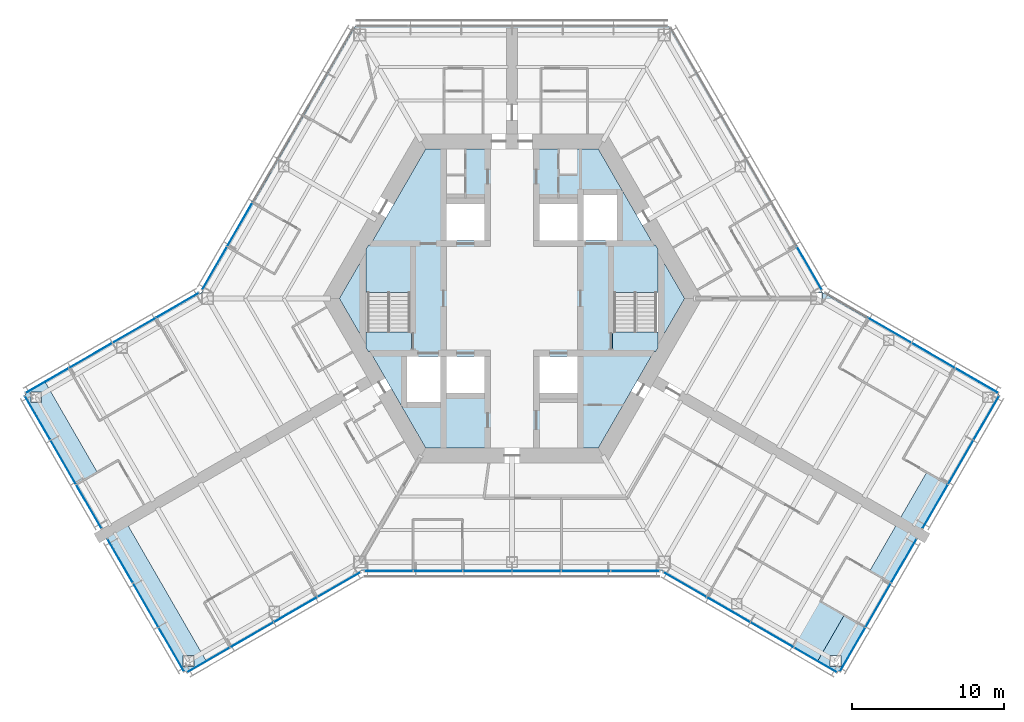
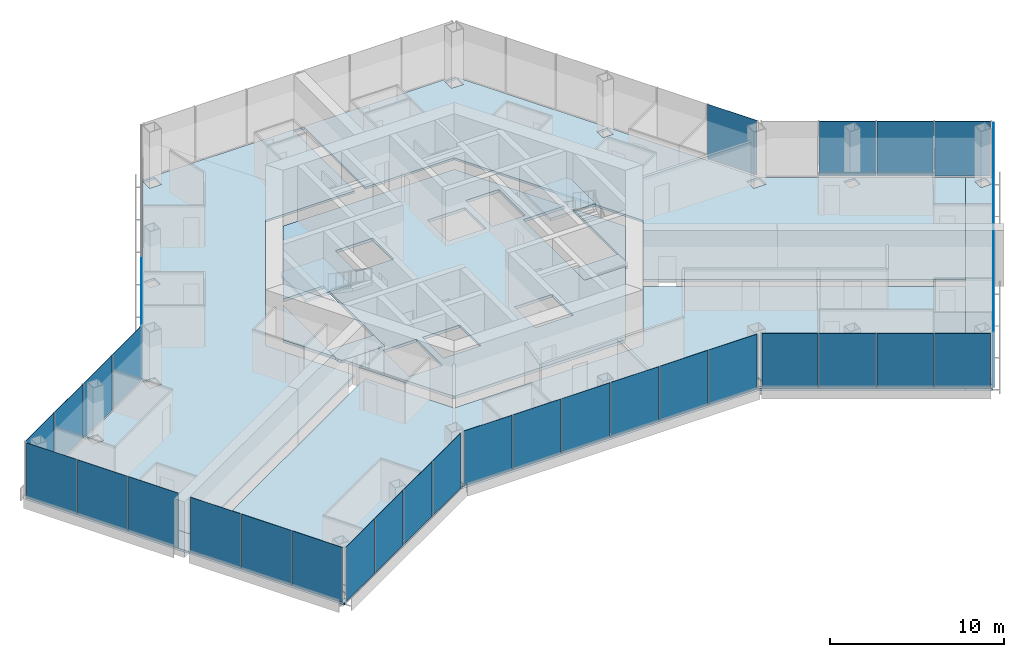
# One storey, part 10 of 18: 36 plates, 11 slabs, 13 elements without a shape of their own.
"""IFC4 building model written with IfcOpenShell, lengths in metres."""

from ifc_helpers import new_model, si_unit, direction, frame, origin, origin_2d, place, context, subcontext, project, spatial, polyline, rectangle, outline, extrude, material, layer, layer_set, type_object, element, aggregate, save


model = new_model("IFC4")

# Units and contexts
model_context = context("Model", 3, precision=1e-05, world=origin(), true_north=direction((0.0, 1.0)))
body_context = subcontext(model_context, "Body", "Model", "MODEL_VIEW")
ifc_project = project(units=[si_unit("LENGTHUNIT", "METRE"), si_unit("AREAUNIT", "SQUARE_METRE"), si_unit("VOLUMEUNIT", "CUBIC_METRE"), si_unit("PLANEANGLEUNIT", "RADIAN"), si_unit("MASSUNIT", "GRAM", prefix="KILO")], contexts=[model_context])

# Site, building, storey
site_placement = place(None, origin())
site = spatial("IfcSite", under=ifc_project, at=site_placement, CompositionType="ELEMENT")
building_placement = place(site_placement, origin())
building = spatial("IfcBuilding", under=site, at=building_placement, Name="Kasaneha Research Tower", CompositionType="ELEMENT")
storey_placement = place(building_placement, frame((0.0, 0.0, 168.199951171875)))
storey = spatial("IfcBuildingStorey", under=building, at=storey_placement, Name="L42", CompositionType="ELEMENT", Elevation=168.199951171875)

# Curtain wall, plates
ifc_material_1 = material(Name="Glass and aluminium", Category="aluminium")
curtain_wall_type = type_object("IfcCurtainWallType", Name="Mid-rise office curtain wall", PredefinedType="USERDEFINED", material=ifc_material_1)
curtain_wall_1_placement = place(storey_placement, origin())
curtain_wall_1 = element("IfcCurtainWall", 1, at=curtain_wall_1_placement, inside=storey, type_object=curtain_wall_type, Name="CW-O2 L42 run 01a", ObjectType="UNITISED CURTAIN WALL", PredefinedType="USERDEFINED")
ifc_material_2 = material(Name="Laminated double glazing", Category="glass")
ifc_layer_1 = layer(ifc_material_2, 0.02587890625)
ifc_layer_set_1 = layer_set([ifc_layer_1], Name="CW-O2 glazed panel")
plate_type = type_object("IfcPlateType", Name="CW-O2 glazed panel", PredefinedType="CURTAIN_PANEL", material=ifc_layer_set_1)
plate_1_placement = place(storey_placement, frame((-8.10107421875, -17.92041015625, 0.06005859375), z_axis=(0.0, 0.0, 1.0), x_axis=(1.0, 0.0, 0.0)))
plate_1 = element("IfcPlate", 2, at=plate_1_placement, type_object=plate_type, Name="CW-O2 panel 1", PredefinedType="CURTAIN_PANEL", context=body_context, shape_type="SweptSolid", body=[
    extrude(rectangle(XDim=3.156494140625, YDim=0.02587890625, at=origin_2d()), origin(), (0.0, 0.0, 1.0), 3.840087890625),
])
plate_2_placement = place(storey_placement, frame((-4.86962890625, -17.92041015625, 0.06005859375), z_axis=(0.0, 0.0, 1.0), x_axis=(1.0, 0.0, 0.0)))
plate_2 = element("IfcPlate", 3, at=plate_2_placement, type_object=plate_type, Name="CW-O2 panel 2", PredefinedType="CURTAIN_PANEL", context=body_context, shape_type="SweptSolid", body=[
    extrude(rectangle(XDim=3.1865234375, YDim=0.02587890625, at=origin_2d()), origin(), (0.0, 0.0, 1.0), 3.840087890625),
])
plate_3_placement = place(storey_placement, frame((-1.623291015625, -17.92041015625, 0.06005859375), z_axis=(0.0, 0.0, 1.0), x_axis=(1.0, 0.0, 0.0)))
plate_3 = element("IfcPlate", 4, at=plate_3_placement, type_object=plate_type, Name="CW-O2 panel 3", PredefinedType="CURTAIN_PANEL", context=body_context, shape_type="SweptSolid", body=[
    extrude(rectangle(XDim=3.1865234375, YDim=0.02587890625, at=origin_2d()), origin(), (0.0, 0.0, 1.0), 3.840087890625),
])
plate_4_placement = place(storey_placement, frame((1.623291015625, -17.92041015625, 0.06005859375), z_axis=(0.0, 0.0, 1.0), x_axis=(1.0, 0.0, 0.0)))
plate_4 = element("IfcPlate", 5, at=plate_4_placement, type_object=plate_type, Name="CW-O2 panel 4", PredefinedType="CURTAIN_PANEL", context=body_context, shape_type="SweptSolid", body=[
    extrude(rectangle(XDim=3.1865234375, YDim=0.02587890625, at=origin_2d()), origin(), (0.0, 0.0, 1.0), 3.840087890625),
])
plate_5_placement = place(storey_placement, frame((4.86962890625, -17.92041015625, 0.06005859375), z_axis=(0.0, 0.0, 1.0), x_axis=(1.0, 0.0, 0.0)))
plate_5 = element("IfcPlate", 6, at=plate_5_placement, type_object=plate_type, Name="CW-O2 panel 5", PredefinedType="CURTAIN_PANEL", context=body_context, shape_type="SweptSolid", body=[
    extrude(rectangle(XDim=3.1865234375, YDim=0.02587890625, at=origin_2d()), origin(), (0.0, 0.0, 1.0), 3.840087890625),
])
plate_6_placement = place(storey_placement, frame((8.10107421875, -17.92041015625, 0.06005859375), z_axis=(0.0, 0.0, 1.0), x_axis=(1.0, 0.0, 0.0)))
plate_6 = element("IfcPlate", 7, at=plate_6_placement, type_object=plate_type, Name="CW-O2 panel 6", PredefinedType="CURTAIN_PANEL", context=body_context, shape_type="SweptSolid", body=[
    extrude(rectangle(XDim=3.156494140625, YDim=0.02587890625, at=origin_2d()), origin(), (0.0, 0.0, 1.0), 3.840087890625),
])
aggregate(curtain_wall_1, [plate_1, plate_2, plate_3, plate_4, plate_5, plate_6])

curtain_wall_2_placement = place(storey_placement, origin())
curtain_wall_2 = element("IfcCurtainWall", 8, at=curtain_wall_2_placement, inside=storey, type_object=curtain_wall_type, Name="CW-O2 L42 run 02a", ObjectType="UNITISED CURTAIN WALL", PredefinedType="USERDEFINED")
plate_7_placement = place(storey_placement, frame((11.3720703125, -18.805419921875, 0.06005859375), z_axis=(0.0, 0.0, 1.0), x_axis=(0.866025411464, -0.499999986699, 0.0)))
plate_7 = element("IfcPlate", 9, at=plate_7_placement, type_object=plate_type, Name="CW-O2 panel 1", PredefinedType="CURTAIN_PANEL", context=body_context, shape_type="SweptSolid", body=[
    extrude(rectangle(XDim=3.2197265625, YDim=0.02587890625, at=origin_2d()), origin(), (0.0, 0.0, 1.0), 3.840087890625),
])
plate_8_placement = place(storey_placement, frame((14.225341796875, -20.452880859375, 0.06005859375), z_axis=(0.0, 0.0, 1.0), x_axis=(0.866025411464, -0.499999986699, 0.0)))
plate_8 = element("IfcPlate", 10, at=plate_8_placement, type_object=plate_type, Name="CW-O2 panel 2", PredefinedType="CURTAIN_PANEL", context=body_context, shape_type="SweptSolid", body=[
    extrude(rectangle(XDim=3.249755859375, YDim=0.02587890625, at=origin_2d()), origin(), (0.0, 0.0, 1.0), 3.840087890625),
])
plate_9_placement = place(storey_placement, frame((17.091796875, -22.107666015625, 0.06005859375), z_axis=(0.0, 0.0, 1.0), x_axis=(0.866025411464, -0.499999986699, 0.0)))
plate_9 = element("IfcPlate", 11, at=plate_9_placement, type_object=plate_type, Name="CW-O2 panel 3", PredefinedType="CURTAIN_PANEL", context=body_context, shape_type="SweptSolid", body=[
    extrude(rectangle(XDim=3.249755859375, YDim=0.02587890625, at=origin_2d()), origin(), (0.0, 0.0, 1.0), 3.840087890625),
])
plate_10_placement = place(storey_placement, frame((19.945068359375, -23.755126953125, 0.06005859375), z_axis=(0.0, 0.0, 1.0), x_axis=(0.866025411464, -0.499999986699, 0.0)))
plate_10 = element("IfcPlate", 12, at=plate_10_placement, type_object=plate_type, Name="CW-O2 panel 4", PredefinedType="CURTAIN_PANEL", context=body_context, shape_type="SweptSolid", body=[
    extrude(rectangle(XDim=3.2197265625, YDim=0.02587890625, at=origin_2d()), origin(), (0.0, 0.0, 1.0), 3.840087890625),
])
aggregate(curtain_wall_2, [plate_7, plate_8, plate_9, plate_10])

curtain_wall_3_placement = place(storey_placement, origin())
curtain_wall_3 = element("IfcCurtainWall", 13, at=curtain_wall_3_placement, inside=storey, type_object=curtain_wall_type, Name="CW-O2 L42 run 03a", ObjectType="UNITISED CURTAIN WALL", PredefinedType="USERDEFINED")
plate_11_placement = place(storey_placement, frame((22.38134765625, -23.075439453125, 0.06005859375), z_axis=(0.0, 0.0, 1.0), x_axis=(0.500000011442, 0.866025397178, 0.0)))
plate_11 = element("IfcPlate", 14, at=plate_11_placement, type_object=plate_type, Name="CW-O2 panel 1", PredefinedType="CURTAIN_PANEL", context=body_context, shape_type="SweptSolid", body=[
    extrude(rectangle(XDim=3.293212890625, YDim=0.02587890625, at=origin_2d()), origin(), (0.0, 0.0, 1.0), 3.840087890625),
])
plate_12_placement = place(storey_placement, frame((24.0654296875, -20.158447265625, 0.06005859375), z_axis=(0.0, 0.0, 1.0), x_axis=(0.500000011442, 0.866025397178, 0.0)))
plate_12 = element("IfcPlate", 15, at=plate_12_placement, type_object=plate_type, Name="CW-O2 panel 2", PredefinedType="CURTAIN_PANEL", context=body_context, shape_type="SweptSolid", body=[
    extrude(rectangle(XDim=3.3232421875, YDim=0.02587890625, at=origin_2d()), origin(), (0.0, 0.0, 1.0), 3.840087890625),
])
plate_13_placement = place(storey_placement, frame((25.74951171875, -17.241455078125, 0.06005859375), z_axis=(0.0, 0.0, 1.0), x_axis=(0.500000011442, 0.866025397178, 0.0)))
plate_13 = element("IfcPlate", 16, at=plate_13_placement, type_object=plate_type, Name="CW-O2 panel 3", PredefinedType="CURTAIN_PANEL", context=body_context, shape_type="SweptSolid", body=[
    extrude(rectangle(XDim=3.293212890625, YDim=0.02587890625, at=origin_2d()), origin(), (0.0, 0.0, 1.0), 3.840087890625),
])
aggregate(curtain_wall_3, [plate_11, plate_12, plate_13])

curtain_wall_4_placement = place(storey_placement, origin())
curtain_wall_4 = element("IfcCurtainWall", 17, at=curtain_wall_4_placement, inside=storey, type_object=curtain_wall_type, Name="CW-O2 L42 run 04a", ObjectType="UNITISED CURTAIN WALL", PredefinedType="USERDEFINED")
plate_14_placement = place(storey_placement, frame((27.806396484375, -13.67919921875, 0.06005859375), z_axis=(0.0, 0.0, 1.0), x_axis=(0.500000011442, 0.866025397178, 0.0)))
plate_14 = element("IfcPlate", 18, at=plate_14_placement, type_object=plate_type, Name="CW-O2 panel 1", PredefinedType="CURTAIN_PANEL", context=body_context, shape_type="SweptSolid", body=[
    extrude(rectangle(XDim=3.293212890625, YDim=0.02587890625, at=origin_2d()), origin(), (0.0, 0.0, 1.0), 3.840087890625),
])
plate_15_placement = place(storey_placement, frame((29.490478515625, -10.761962890625, 0.06005859375), z_axis=(0.0, 0.0, 1.0), x_axis=(0.500000011442, 0.866025397178, 0.0)))
plate_15 = element("IfcPlate", 19, at=plate_15_placement, type_object=plate_type, Name="CW-O2 panel 2", PredefinedType="CURTAIN_PANEL", context=body_context, shape_type="SweptSolid", body=[
    extrude(rectangle(XDim=3.3232421875, YDim=0.02587890625, at=origin_2d()), origin(), (0.0, 0.0, 1.0), 3.840087890625),
])
plate_16_placement = place(storey_placement, frame((31.174560546875, -7.844970703125, 0.06005859375), z_axis=(0.0, 0.0, 1.0), x_axis=(0.500000011442, 0.866025397178, 0.0)))
plate_16 = element("IfcPlate", 20, at=plate_16_placement, type_object=plate_type, Name="CW-O2 panel 3", PredefinedType="CURTAIN_PANEL", context=body_context, shape_type="SweptSolid", body=[
    extrude(rectangle(XDim=3.293212890625, YDim=0.02587890625, at=origin_2d()), origin(), (0.0, 0.0, 1.0), 3.840087890625),
])
aggregate(curtain_wall_4, [plate_14, plate_15, plate_16])

curtain_wall_5_placement = place(storey_placement, origin())
curtain_wall_5 = element("IfcCurtainWall", 21, at=curtain_wall_5_placement, inside=storey, type_object=curtain_wall_type, Name="CW-O2 L42 run 05a", ObjectType="UNITISED CURTAIN WALL", PredefinedType="USERDEFINED")
plate_17_placement = place(storey_placement, frame((30.545166015625, -5.3955078125, 0.06005859375), z_axis=(0.0, 0.0, 1.0), x_axis=(-0.866025411464, 0.499999986699, 0.0)))
plate_17 = element("IfcPlate", 22, at=plate_17_placement, type_object=plate_type, Name="CW-O2 panel 1", PredefinedType="CURTAIN_PANEL", context=body_context, shape_type="SweptSolid", body=[
    extrude(rectangle(XDim=3.2197265625, YDim=0.02587890625, at=origin_2d()), origin(), (0.0, 0.0, 1.0), 3.840087890625),
])
plate_18_placement = place(storey_placement, frame((27.69189453125, -3.748046875, 0.06005859375), z_axis=(0.0, 0.0, 1.0), x_axis=(-0.866025411464, 0.499999986699, 0.0)))
plate_18 = element("IfcPlate", 23, at=plate_18_placement, type_object=plate_type, Name="CW-O2 panel 2", PredefinedType="CURTAIN_PANEL", context=body_context, shape_type="SweptSolid", body=[
    extrude(rectangle(XDim=3.249755859375, YDim=0.02587890625, at=origin_2d()), origin(), (0.0, 0.0, 1.0), 3.840087890625),
])
plate_19_placement = place(storey_placement, frame((24.825439453125, -2.093017578125, 0.06005859375), z_axis=(0.0, 0.0, 1.0), x_axis=(-0.866025411464, 0.499999986699, 0.0)))
plate_19 = element("IfcPlate", 24, at=plate_19_placement, type_object=plate_type, Name="CW-O2 panel 3", PredefinedType="CURTAIN_PANEL", context=body_context, shape_type="SweptSolid", body=[
    extrude(rectangle(XDim=3.249755859375, YDim=0.02587890625, at=origin_2d()), origin(), (0.0, 0.0, 1.0), 3.840087890625),
])
aggregate(curtain_wall_5, [plate_17, plate_18, plate_19])

# Curtain wall, plate
curtain_wall_6_placement = place(storey_placement, origin())
curtain_wall_6 = element("IfcCurtainWall", 25, at=curtain_wall_6_placement, inside=storey, type_object=curtain_wall_type, Name="CW-O2 L42 run 06a", ObjectType="UNITISED CURTAIN WALL", PredefinedType="USERDEFINED")
plate_20_placement = place(storey_placement, frame((19.549072265625, 1.981201171875, 0.06005859375), z_axis=(0.0, 0.0, 1.0), x_axis=(-0.499999979232, 0.866025415775, 0.0)))
plate_20 = element("IfcPlate", 26, at=plate_20_placement, type_object=plate_type, Name="CW-O2 panel 1", PredefinedType="CURTAIN_PANEL", context=body_context, shape_type="SweptSolid", body=[
    extrude(rectangle(XDim=3.240966796875, YDim=0.02587890625, at=origin_2d()), origin(), (0.0, 0.0, 1.0), 3.840087890625),
])
aggregate(curtain_wall_6, [plate_20])

# Curtain wall, plates
curtain_wall_7_placement = place(storey_placement, origin())
curtain_wall_7 = element("IfcCurtainWall", 27, at=curtain_wall_7_placement, inside=storey, type_object=curtain_wall_type, Name="CW-O2 L42 run 08a", ObjectType="UNITISED CURTAIN WALL", PredefinedType="USERDEFINED")
plate_21_placement = place(storey_placement, frame((-17.89111328125, 4.852783203125, 0.06005859375), z_axis=(0.0, 0.0, 1.0), x_axis=(-0.499999979232, -0.866025415775, 0.0)))
plate_21 = element("IfcPlate", 28, at=plate_21_placement, type_object=plate_type, Name="CW-O2 panel 5", PredefinedType="CURTAIN_PANEL", context=body_context, shape_type="SweptSolid", body=[
    extrude(rectangle(XDim=3.27099609375, YDim=0.02587890625, at=origin_2d()), origin(), (0.0, 0.0, 1.0), 3.840087890625),
])
plate_22_placement = place(storey_placement, frame((-19.549072265625, 1.981201171875, 0.06005859375), z_axis=(0.0, 0.0, 1.0), x_axis=(-0.499999979232, -0.866025415775, 0.0)))
plate_22 = element("IfcPlate", 29, at=plate_22_placement, type_object=plate_type, Name="CW-O2 panel 6", PredefinedType="CURTAIN_PANEL", context=body_context, shape_type="SweptSolid", body=[
    extrude(rectangle(XDim=3.240966796875, YDim=0.02587890625, at=origin_2d()), origin(), (0.0, 0.0, 1.0), 3.840087890625),
])
aggregate(curtain_wall_7, [plate_21, plate_22])

curtain_wall_8_placement = place(storey_placement, origin())
curtain_wall_8 = element("IfcCurtainWall", 30, at=curtain_wall_8_placement, inside=storey, type_object=curtain_wall_type, Name="CW-O2 L42 run 09a", ObjectType="UNITISED CURTAIN WALL", PredefinedType="USERDEFINED")
plate_23_placement = place(storey_placement, frame((-21.971923828125, -0.44580078125, 0.06005859375), z_axis=(0.0, 0.0, 1.0), x_axis=(-0.866025411464, -0.499999986699, 0.0)))
plate_23 = element("IfcPlate", 31, at=plate_23_placement, type_object=plate_type, Name="CW-O2 panel 1", PredefinedType="CURTAIN_PANEL", context=body_context, shape_type="SweptSolid", body=[
    extrude(rectangle(XDim=3.2197265625, YDim=0.02587890625, at=origin_2d()), origin(), (0.0, 0.0, 1.0), 3.840087890625),
])
plate_24_placement = place(storey_placement, frame((-24.825439453125, -2.093017578125, 0.06005859375), z_axis=(0.0, 0.0, 1.0), x_axis=(-0.866025411464, -0.499999986699, 0.0)))
plate_24 = element("IfcPlate", 32, at=plate_24_placement, type_object=plate_type, Name="CW-O2 panel 2", PredefinedType="CURTAIN_PANEL", context=body_context, shape_type="SweptSolid", body=[
    extrude(rectangle(XDim=3.249755859375, YDim=0.02587890625, at=origin_2d()), origin(), (0.0, 0.0, 1.0), 3.840087890625),
])
plate_25_placement = place(storey_placement, frame((-27.69189453125, -3.748046875, 0.06005859375), z_axis=(0.0, 0.0, 1.0), x_axis=(-0.866025411464, -0.499999986699, 0.0)))
plate_25 = element("IfcPlate", 33, at=plate_25_placement, type_object=plate_type, Name="CW-O2 panel 3", PredefinedType="CURTAIN_PANEL", context=body_context, shape_type="SweptSolid", body=[
    extrude(rectangle(XDim=3.249755859375, YDim=0.02587890625, at=origin_2d()), origin(), (0.0, 0.0, 1.0), 3.840087890625),
])
plate_26_placement = place(storey_placement, frame((-30.545166015625, -5.3955078125, 0.06005859375), z_axis=(0.0, 0.0, 1.0), x_axis=(-0.866025411464, -0.499999986699, 0.0)))
plate_26 = element("IfcPlate", 34, at=plate_26_placement, type_object=plate_type, Name="CW-O2 panel 4", PredefinedType="CURTAIN_PANEL", context=body_context, shape_type="SweptSolid", body=[
    extrude(rectangle(XDim=3.2197265625, YDim=0.02587890625, at=origin_2d()), origin(), (0.0, 0.0, 1.0), 3.840087890625),
])
aggregate(curtain_wall_8, [plate_23, plate_24, plate_25, plate_26])

curtain_wall_9_placement = place(storey_placement, origin())
curtain_wall_9 = element("IfcCurtainWall", 35, at=curtain_wall_9_placement, inside=storey, type_object=curtain_wall_type, Name="CW-O2 L42 run 10a", ObjectType="UNITISED CURTAIN WALL", PredefinedType="USERDEFINED")
plate_27_placement = place(storey_placement, frame((-31.174560546875, -7.844970703125, 0.06005859375), z_axis=(0.0, 0.0, 1.0), x_axis=(0.500000011442, -0.866025397178, 0.0)))
plate_27 = element("IfcPlate", 36, at=plate_27_placement, type_object=plate_type, Name="CW-O2 panel 1", PredefinedType="CURTAIN_PANEL", context=body_context, shape_type="SweptSolid", body=[
    extrude(rectangle(XDim=3.293212890625, YDim=0.02587890625, at=origin_2d()), origin(), (0.0, 0.0, 1.0), 3.840087890625),
])
plate_28_placement = place(storey_placement, frame((-29.490478515625, -10.761962890625, 0.06005859375), z_axis=(0.0, 0.0, 1.0), x_axis=(0.500000011442, -0.866025397178, 0.0)))
plate_28 = element("IfcPlate", 37, at=plate_28_placement, type_object=plate_type, Name="CW-O2 panel 2", PredefinedType="CURTAIN_PANEL", context=body_context, shape_type="SweptSolid", body=[
    extrude(rectangle(XDim=3.3232421875, YDim=0.02587890625, at=origin_2d()), origin(), (0.0, 0.0, 1.0), 3.840087890625),
])
plate_29_placement = place(storey_placement, frame((-27.806396484375, -13.67919921875, 0.06005859375), z_axis=(0.0, 0.0, 1.0), x_axis=(0.500000011442, -0.866025397178, 0.0)))
plate_29 = element("IfcPlate", 38, at=plate_29_placement, type_object=plate_type, Name="CW-O2 panel 3", PredefinedType="CURTAIN_PANEL", context=body_context, shape_type="SweptSolid", body=[
    extrude(rectangle(XDim=3.293212890625, YDim=0.02587890625, at=origin_2d()), origin(), (0.0, 0.0, 1.0), 3.840087890625),
])
aggregate(curtain_wall_9, [plate_27, plate_28, plate_29])

curtain_wall_10_placement = place(storey_placement, origin())
curtain_wall_10 = element("IfcCurtainWall", 39, at=curtain_wall_10_placement, inside=storey, type_object=curtain_wall_type, Name="CW-O2 L42 run 11a", ObjectType="UNITISED CURTAIN WALL", PredefinedType="USERDEFINED")
plate_30_placement = place(storey_placement, frame((-25.74951171875, -17.241455078125, 0.06005859375), z_axis=(0.0, 0.0, 1.0), x_axis=(0.500000011442, -0.866025397178, 0.0)))
plate_30 = element("IfcPlate", 40, at=plate_30_placement, type_object=plate_type, Name="CW-O2 panel 1", PredefinedType="CURTAIN_PANEL", context=body_context, shape_type="SweptSolid", body=[
    extrude(rectangle(XDim=3.293212890625, YDim=0.02587890625, at=origin_2d()), origin(), (0.0, 0.0, 1.0), 3.840087890625),
])
plate_31_placement = place(storey_placement, frame((-24.0654296875, -20.158447265625, 0.06005859375), z_axis=(0.0, 0.0, 1.0), x_axis=(0.500000011442, -0.866025397178, 0.0)))
plate_31 = element("IfcPlate", 41, at=plate_31_placement, type_object=plate_type, Name="CW-O2 panel 2", PredefinedType="CURTAIN_PANEL", context=body_context, shape_type="SweptSolid", body=[
    extrude(rectangle(XDim=3.3232421875, YDim=0.02587890625, at=origin_2d()), origin(), (0.0, 0.0, 1.0), 3.840087890625),
])
plate_32_placement = place(storey_placement, frame((-22.38134765625, -23.075439453125, 0.06005859375), z_axis=(0.0, 0.0, 1.0), x_axis=(0.500000011442, -0.866025397178, 0.0)))
plate_32 = element("IfcPlate", 42, at=plate_32_placement, type_object=plate_type, Name="CW-O2 panel 3", PredefinedType="CURTAIN_PANEL", context=body_context, shape_type="SweptSolid", body=[
    extrude(rectangle(XDim=3.293212890625, YDim=0.02587890625, at=origin_2d()), origin(), (0.0, 0.0, 1.0), 3.840087890625),
])
aggregate(curtain_wall_10, [plate_30, plate_31, plate_32])

curtain_wall_11_placement = place(storey_placement, origin())
curtain_wall_11 = element("IfcCurtainWall", 43, at=curtain_wall_11_placement, inside=storey, type_object=curtain_wall_type, Name="CW-O2 L42 run 12a", ObjectType="UNITISED CURTAIN WALL", PredefinedType="USERDEFINED")
plate_33_placement = place(storey_placement, frame((-19.945068359375, -23.755126953125, 0.06005859375), z_axis=(0.0, 0.0, 1.0), x_axis=(0.866025411464, 0.499999986699, 0.0)))
plate_33 = element("IfcPlate", 44, at=plate_33_placement, type_object=plate_type, Name="CW-O2 panel 1", PredefinedType="CURTAIN_PANEL", context=body_context, shape_type="SweptSolid", body=[
    extrude(rectangle(XDim=3.2197265625, YDim=0.02587890625, at=origin_2d()), origin(), (0.0, 0.0, 1.0), 3.840087890625),
])
plate_34_placement = place(storey_placement, frame((-17.091796875, -22.107666015625, 0.06005859375), z_axis=(0.0, 0.0, 1.0), x_axis=(0.866025411464, 0.499999986699, 0.0)))
plate_34 = element("IfcPlate", 45, at=plate_34_placement, type_object=plate_type, Name="CW-O2 panel 2", PredefinedType="CURTAIN_PANEL", context=body_context, shape_type="SweptSolid", body=[
    extrude(rectangle(XDim=3.249755859375, YDim=0.02587890625, at=origin_2d()), origin(), (0.0, 0.0, 1.0), 3.840087890625),
])
plate_35_placement = place(storey_placement, frame((-14.225341796875, -20.452880859375, 0.06005859375), z_axis=(0.0, 0.0, 1.0), x_axis=(0.866025411464, 0.499999986699, 0.0)))
plate_35 = element("IfcPlate", 46, at=plate_35_placement, type_object=plate_type, Name="CW-O2 panel 3", PredefinedType="CURTAIN_PANEL", context=body_context, shape_type="SweptSolid", body=[
    extrude(rectangle(XDim=3.249755859375, YDim=0.02587890625, at=origin_2d()), origin(), (0.0, 0.0, 1.0), 3.840087890625),
])
plate_36_placement = place(storey_placement, frame((-11.3720703125, -18.805419921875, 0.06005859375), z_axis=(0.0, 0.0, 1.0), x_axis=(0.866025411464, 0.499999986699, 0.0)))
plate_36 = element("IfcPlate", 47, at=plate_36_placement, type_object=plate_type, Name="CW-O2 panel 4", PredefinedType="CURTAIN_PANEL", context=body_context, shape_type="SweptSolid", body=[
    extrude(rectangle(XDim=3.2197265625, YDim=0.02587890625, at=origin_2d()), origin(), (0.0, 0.0, 1.0), 3.840087890625),
])
aggregate(curtain_wall_11, [plate_33, plate_34, plate_35, plate_36])

# Slabs
ifc_material_3 = material(Name="Concrete Fc24", Category="concrete")
ifc_layer_2 = layer(ifc_material_3, 0.199951171875)
ifc_layer_set_2 = layer_set([ifc_layer_2], Name="Core floor slab 200")
slab_type_1 = type_object("IfcSlabType", Name="Core floor slab 200", PredefinedType="FLOOR", material=ifc_layer_set_2)
slab_1_placement = place(storey_placement, frame((0.0, 0.0, -0.199951171875)))
element("IfcSlab", 48, at=slab_1_placement, inside=storey, type_object=slab_type_1, Name="Core slab L42", PredefinedType="FLOOR", context=body_context, shape_type="SweptSolid", body=[
    extrude(outline(polyline([(-11.344970703125, 0.0), (-9.60009765625, 3.022216796875), (-9.60009765625, -3.022216796875), (-11.344970703125, 0.0)])), origin(), (0.0, 0.0, 1.0), 0.199951171875),
])
slab_2_placement = place(storey_placement, frame((0.0, 0.0, -0.199951171875)))
element("IfcSlab", 49, at=slab_2_placement, inside=storey, type_object=slab_type_1, Name="Core slab L42", PredefinedType="FLOOR", context=body_context, shape_type="SweptSolid", body=[
    extrude(outline(polyline([(-5.67236328125, 9.824951171875), (5.67236328125, 9.824951171875), (9.32421875, 3.5), (6.60009765625, 3.5), (6.60009765625, -3.5), (9.32421875, -3.5), (5.67236328125, -9.824951171875), (-5.67236328125, -9.824951171875), (-9.32421875, -3.5), (-6.60009765625, -3.5), (-6.60009765625, 3.5), (-9.32421875, 3.5), (-5.67236328125, 9.824951171875)]), holes=[polyline([(-6.89990234375, -3.800048828125), (-6.89990234375, -6.800048828125), (-4.699951171875, -6.800048828125), (-4.699951171875, -3.800048828125), (-6.89990234375, -3.800048828125)]), polyline([(-4.300048828125, -3.800048828125), (-4.300048828125, -6.199951171875), (-1.800048828125, -6.199951171875), (-1.800048828125, -3.800048828125), (-4.300048828125, -3.800048828125)]), polyline([(1.800048828125, -3.800048828125), (1.800048828125, -6.199951171875), (4.300048828125, -6.199951171875), (4.300048828125, -3.800048828125), (1.800048828125, -3.800048828125)]), polyline([(-4.300048828125, 6.199951171875), (-4.300048828125, 3.800048828125), (-1.800048828125, 3.800048828125), (-1.800048828125, 6.199951171875), (-4.300048828125, 6.199951171875)]), polyline([(1.800048828125, 6.199951171875), (1.800048828125, 3.800048828125), (4.300048828125, 3.800048828125), (4.300048828125, 6.199951171875), (1.800048828125, 6.199951171875)]), polyline([(4.699951171875, 6.800048828125), (4.699951171875, 3.800048828125), (6.89990234375, 3.800048828125), (6.89990234375, 6.800048828125), (4.699951171875, 6.800048828125)])]), origin(), (0.0, 0.0, 1.0), 0.199951171875),
])
slab_3_placement = place(storey_placement, frame((0.0, 0.0, -0.199951171875)))
element("IfcSlab", 50, at=slab_3_placement, inside=storey, type_object=slab_type_1, Name="Core slab L42", PredefinedType="FLOOR", context=body_context, shape_type="SweptSolid", body=[
    extrude(outline(polyline([(11.344970703125, 0.0), (9.60009765625, -3.022216796875), (9.60009765625, 3.022216796875), (11.344970703125, 0.0)])), origin(), (0.0, 0.0, 1.0), 0.199951171875),
])
ifc_material_4 = material(Name="Concrete Fc24", Category="concrete")
ifc_layer_3 = layer(ifc_material_4, 0.14990234375)
ifc_layer_set_3 = layer_set([ifc_layer_3], Name="Floor slab 150")
slab_type_2 = type_object("IfcSlabType", Name="Floor slab 150", PredefinedType="FLOOR", material=ifc_layer_set_3)
slab_4_placement = place(storey_placement, frame((0.0, 0.0, -0.14990234375)))
element("IfcSlab", 51, at=slab_4_placement, inside=storey, type_object=slab_type_2, Name="Floor slab L42 1", PredefinedType="FLOOR", context=body_context, shape_type="SweptSolid", body=[
    extrude(outline(polyline([(-32.009521484375, -6.298583984375), (-30.65869140625, -5.518798828125), (-25.55859375, -14.35205078125), (-25.5673828125, -14.357177734375), (-25.21728515625, -14.96337890625), (-25.208740234375, -14.958251953125), (-20.108642578125, -23.791748046875), (-21.459716796875, -24.57177734375), (-32.009521484375, -6.298583984375)]), holes=[polyline([(-20.908447265625, -24.17041015625), (-20.908447265625, -23.470458984375), (-21.6083984375, -23.470458984375), (-21.6083984375, -24.17041015625), (-20.908447265625, -24.17041015625)]), polyline([(-30.908447265625, -6.85009765625), (-30.908447265625, -6.14990234375), (-31.6083984375, -6.14990234375), (-31.6083984375, -6.85009765625), (-30.908447265625, -6.85009765625)])]), origin(), (0.0, 0.0, 1.0), 0.14990234375),
])
slab_5_placement = place(storey_placement, frame((0.0, 0.0, -0.14990234375)))
element("IfcSlab", 52, at=slab_5_placement, inside=storey, type_object=slab_type_2, Name="Floor slab L42 2", PredefinedType="FLOOR", context=body_context, shape_type="SweptSolid", body=[
    extrude(outline(polyline([(9.8525390625, -17.87060546875), (-9.8525390625, -17.87060546875), (-20.108642578125, -23.791748046875), (-25.208740234375, -14.958251953125), (-9.19970703125, -5.715576171875), (-6.249755859375, -10.824951171875), (6.249755859375, -10.824951171875), (9.19970703125, -5.715576171875), (25.208740234375, -14.958251953125), (20.108642578125, -23.791748046875), (9.8525390625, -17.87060546875)]), holes=[polyline([(-15.279052734375, -20.92041015625), (-15.279052734375, -20.220458984375), (-15.979248046875, -20.220458984375), (-15.979248046875, -20.92041015625), (-15.279052734375, -20.92041015625)]), polyline([(0.35009765625, -17.67041015625), (0.35009765625, -16.970458984375), (-0.35009765625, -16.970458984375), (-0.35009765625, -17.67041015625), (0.35009765625, -17.67041015625)]), polyline([(-10.39990234375, -17.720458984375), (-9.60009765625, -17.720458984375), (-9.60009765625, -16.92041015625), (-10.39990234375, -16.92041015625), (-10.39990234375, -17.720458984375)]), polyline([(15.113037109375, -20.42041015625), (15.113037109375, -19.720458984375), (14.4130859375, -19.720458984375), (14.4130859375, -20.42041015625), (15.113037109375, -20.42041015625)]), polyline([(9.60009765625, -17.720458984375), (10.39990234375, -17.720458984375), (10.39990234375, -16.92041015625), (9.60009765625, -16.92041015625), (9.60009765625, -17.720458984375)])]), origin(), (0.0, 0.0, 1.0), 0.14990234375),
])
slab_6_placement = place(storey_placement, frame((0.0, 0.0, -0.14990234375)))
element("IfcSlab", 53, at=slab_6_placement, inside=storey, type_object=slab_type_2, Name="Floor slab L42 3", PredefinedType="FLOOR", context=body_context, shape_type="SweptSolid", body=[
    extrude(outline(polyline([(-20.400146484375, -0.400146484375), (-19.599853515625, -0.400146484375), (-19.599853515625, 0.400146484375), (-20.385986328125, 0.400146484375), (-20.3974609375, 0.41162109375), (-10.40771484375, 17.714111328125), (-10.400146484375, 17.70654296875), (-10.400146484375, 16.92041015625), (-9.599853515625, 16.92041015625), (-9.599853515625, 17.720703125), (-10.385986328125, 17.720703125), (-10.3974609375, 17.732177734375), (-10.317626953125, 17.87060546875), (10.317626953125, 17.87060546875), (10.3974609375, 17.732177734375), (10.385986328125, 17.720703125), (9.599853515625, 17.720703125), (9.599853515625, 16.92041015625), (10.400146484375, 16.92041015625), (10.400146484375, 17.70654296875), (10.40771484375, 17.714111328125), (20.3974609375, 0.41162109375), (20.385986328125, 0.400146484375), (19.599853515625, 0.400146484375), (19.599853515625, -0.400146484375), (20.400146484375, -0.400146484375), (20.400146484375, 0.385986328125), (20.41162109375, 0.3974609375), (30.65869140625, -5.518798828125), (25.55859375, -14.35205078125), (9.5498046875, -5.109375), (12.49951171875, 0.0), (6.249755859375, 10.824951171875), (0.35009765625, 10.824951171875), (0.35009765625, 17.7705078125), (-0.35009765625, 17.7705078125), (-0.35009765625, 10.824951171875), (-6.249755859375, 10.824951171875), (-12.49951171875, 0.0), (-9.5498046875, -5.109375), (-25.55859375, -14.35205078125), (-30.65869140625, -5.518798828125), (-20.41162109375, 0.3974609375), (-20.400146484375, 0.385986328125), (-20.400146484375, -0.400146484375)]), holes=[polyline([(-25.279052734375, -3.60009765625), (-25.279052734375, -2.89990234375), (-25.979248046875, -2.89990234375), (-25.979248046875, -3.60009765625), (-25.279052734375, -3.60009765625)]), polyline([(-15.35009765625, 8.310302734375), (-14.64990234375, 8.310302734375), (-14.64990234375, 9.01025390625), (-15.35009765625, 9.01025390625), (-15.35009765625, 8.310302734375)]), polyline([(24.4130859375, -3.10009765625), (25.113037109375, -3.10009765625), (25.113037109375, -2.39990234375), (24.4130859375, -2.39990234375), (24.4130859375, -3.10009765625)]), polyline([(14.64990234375, 8.310302734375), (15.35009765625, 8.310302734375), (15.35009765625, 9.01025390625), (14.64990234375, 9.01025390625), (14.64990234375, 8.310302734375)])]), origin(), (0.0, 0.0, 1.0), 0.14990234375),
])
slab_7_placement = place(storey_placement, frame((0.0, 0.0, -0.14990234375)))
element("IfcSlab", 54, at=slab_7_placement, inside=storey, type_object=slab_type_2, Name="Floor slab L42 4", PredefinedType="FLOOR", context=body_context, shape_type="SweptSolid", body=[
    extrude(outline(polyline([(32.009521484375, -6.298583984375), (21.459716796875, -24.57177734375), (20.108642578125, -23.791748046875), (25.208740234375, -14.958251953125), (25.21728515625, -14.96337890625), (25.5673828125, -14.357177734375), (25.55859375, -14.35205078125), (30.65869140625, -5.518798828125), (32.009521484375, -6.298583984375)]), holes=[polyline([(21.6083984375, -24.17041015625), (21.6083984375, -23.470458984375), (20.908447265625, -23.470458984375), (20.908447265625, -24.17041015625), (21.6083984375, -24.17041015625)]), polyline([(31.6083984375, -6.85009765625), (31.6083984375, -6.14990234375), (30.908447265625, -6.14990234375), (30.908447265625, -6.85009765625), (31.6083984375, -6.85009765625)])]), origin(), (0.0, 0.0, 1.0), 0.14990234375),
])

# Stair, slabs
ifc_material_5 = material(Name="Concrete Fc24", Category="concrete")
stair_type = type_object("IfcStairType", Name="Half-turn stair 22 risers", PredefinedType="HALF_TURN_STAIR", material=ifc_material_5)
stair_1_placement = place(storey_placement, origin())
stair_1 = element("IfcStair", 55, at=stair_1_placement, inside=storey, type_object=stair_type, Name="Stair 1 L42", PredefinedType="HALF_TURN_STAIR")
ifc_material_6 = material(Name="Concrete Fc24", Category="concrete")
ifc_layer_4 = layer(ifc_material_6, 0.199951171875)
ifc_layer_set_4 = layer_set([ifc_layer_4], Name="Stair 1 landing 200")
slab_type_3 = type_object("IfcSlabType", Name="Stair 1 landing 200", PredefinedType="LANDING", material=ifc_layer_set_4)
slab_8_placement = place(storey_placement, frame((0.0, 0.0, -0.199951171875)))
slab_8 = element("IfcSlab", 56, at=slab_8_placement, type_object=slab_type_3, Name="ST1-22R landing 1", PredefinedType="LANDING", context=body_context, shape_type="SweptSolid", body=[
    extrude(outline(polyline([(9.439697265625, -3.5), (6.60009765625, -3.5), (6.60009765625, -2.199951171875), (9.60009765625, -2.199951171875), (9.60009765625, -3.222412109375), (9.439697265625, -3.5)])), origin(), (0.0, 0.0, 1.0), 0.199951171875),
])
slab_9_placement = place(storey_placement, frame((0.0, 0.0, 1.75)))
slab_9 = element("IfcSlab", 57, at=slab_9_placement, type_object=slab_type_3, Name="ST1-22R landing 2", PredefinedType="LANDING", context=body_context, shape_type="SweptSolid", body=[
    extrude(outline(polyline([(6.60009765625, 3.5), (9.439697265625, 3.5), (9.60009765625, 3.222412109375), (9.60009765625, 0.39990234375), (6.60009765625, 0.39990234375), (6.60009765625, 3.5)])), origin(), (0.0, 0.0, 1.0), 0.199951171875),
])
aggregate(stair_1, [slab_8, slab_9])

stair_2_placement = place(storey_placement, origin())
stair_2 = element("IfcStair", 58, at=stair_2_placement, inside=storey, type_object=stair_type, Name="Stair 2 L42", PredefinedType="HALF_TURN_STAIR")
ifc_material_7 = material(Name="Concrete Fc24", Category="concrete")
ifc_layer_5 = layer(ifc_material_7, 0.199951171875)
ifc_layer_set_5 = layer_set([ifc_layer_5], Name="Stair 2 landing 200")
slab_type_4 = type_object("IfcSlabType", Name="Stair 2 landing 200", PredefinedType="LANDING", material=ifc_layer_set_5)
slab_10_placement = place(storey_placement, frame((0.0, 0.0, -0.199951171875)))
slab_10 = element("IfcSlab", 59, at=slab_10_placement, type_object=slab_type_4, Name="ST2-22R landing 1", PredefinedType="LANDING", context=body_context, shape_type="SweptSolid", body=[
    extrude(outline(polyline([(-6.60009765625, -3.5), (-9.439697265625, -3.5), (-9.60009765625, -3.222412109375), (-9.60009765625, -2.199951171875), (-6.60009765625, -2.199951171875), (-6.60009765625, -3.5)])), origin(), (0.0, 0.0, 1.0), 0.199951171875),
])
slab_11_placement = place(storey_placement, frame((0.0, 0.0, 1.75)))
slab_11 = element("IfcSlab", 60, at=slab_11_placement, type_object=slab_type_4, Name="ST2-22R landing 2", PredefinedType="LANDING", context=body_context, shape_type="SweptSolid", body=[
    extrude(outline(polyline([(-6.60009765625, 0.39990234375), (-9.60009765625, 0.39990234375), (-9.60009765625, 3.222412109375), (-9.439697265625, 3.5), (-6.60009765625, 3.5), (-6.60009765625, 0.39990234375)])), origin(), (0.0, 0.0, 1.0), 0.199951171875),
])
aggregate(stair_2, [slab_10, slab_11])

save(model, "model.ifc")
